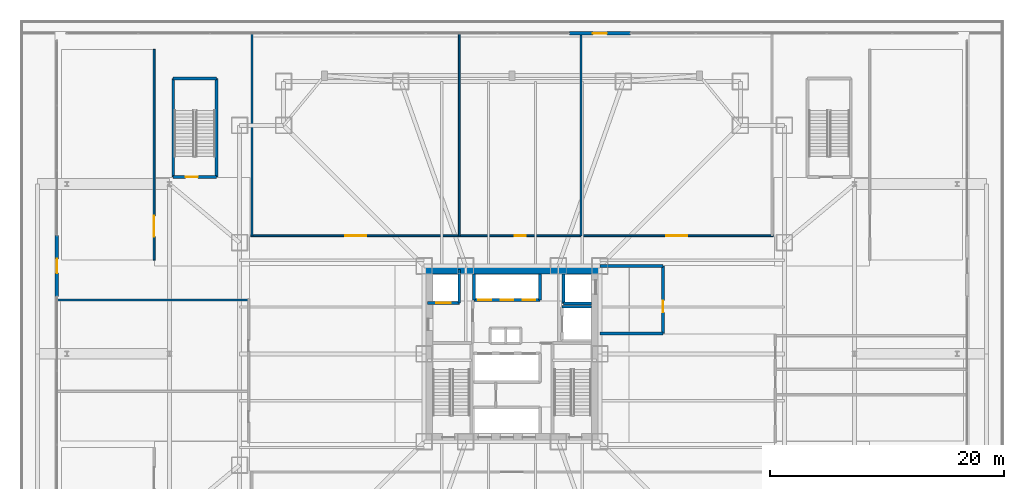
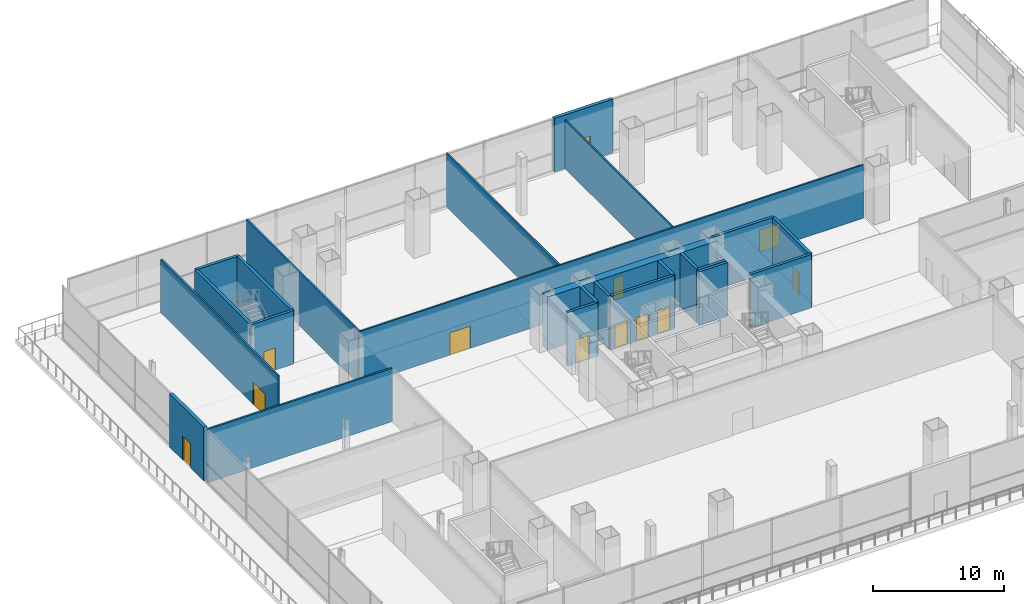
# One storey, part 22 of 36: 24 walls, 12 doors, 12 openings.
"""IFC4 building model written with IfcOpenShell, lengths in metres."""

from ifc_helpers import new_model, si_unit, direction, frame, frame_2d, origin, place, context, subcontext, project, spatial, rectangle, extrude, material, layer, layer_set, type_object, element, fill, save


model = new_model("IFC4")

# Units and contexts
model_context = context("Model", 3, precision=1e-05, world=origin(), true_north=direction((0.0, 1.0)))
body_context = subcontext(model_context, "Body", "Model", "MODEL_VIEW")
ifc_project = project(units=[si_unit("LENGTHUNIT", "METRE"), si_unit("AREAUNIT", "SQUARE_METRE"), si_unit("VOLUMEUNIT", "CUBIC_METRE"), si_unit("PLANEANGLEUNIT", "RADIAN"), si_unit("MASSUNIT", "GRAM", prefix="KILO")], contexts=[model_context])

# Site, building, storey
site_placement = place(None, origin())
site = spatial("IfcSite", under=ifc_project, at=site_placement, CompositionType="ELEMENT")
building_placement = place(site_placement, origin())
building = spatial("IfcBuilding", under=site, at=building_placement, Name="Trevonay Congress Spire", CompositionType="ELEMENT")
storey_placement = place(building_placement, frame((0.0, 0.0, 5.39990234375)))
storey = spatial("IfcBuildingStorey", under=building, at=storey_placement, Name="L01", CompositionType="ELEMENT", Elevation=5.39990234375)

# Wall
ifc_material_1 = material(Name="Concrete C60/75", Category="concrete")
ifc_layer_1 = layer(ifc_material_1, 0.699951171875, Name="Concrete C60/75")
ifc_layer_set_1 = layer_set([ifc_layer_1], Name="Concrete C60/75")
wall_type_1 = type_object("IfcWallType", Name="WAL-CORE-700", PredefinedType="SHEAR", material=ifc_layer_set_1)
wall_1_placement = place(storey_placement, frame((-7.5, 7.14990234375, 0.0), z_axis=(0.0, 0.0, 1.0), x_axis=(1.0, 0.0, 0.0)))
element("IfcWall", 1, at=wall_1_placement, inside=storey, type_object=wall_type_1, Name="L01 North structural core shear wall", PredefinedType="SHEAR", context=body_context, shape_type="SweptSolid", body=[
    extrude(rectangle(XDim=15.0, YDim=0.699951171875, at=frame_2d((7.5, 0.0))), origin(), (0.0, 0.0, 1.0), 5.0),
])

# Wall, openings, doors
ifc_material_2 = material(Name="Concrete C40/50", Category="concrete")
ifc_layer_2 = layer(ifc_material_2, 0.14990234375, Name="Concrete C40/50")
ifc_layer_set_2 = layer_set([ifc_layer_2], Name="Concrete C40/50")
wall_type_2 = type_object("IfcWallType", Name="WAL-CORR-150", PredefinedType="PARTITIONING", material=ifc_layer_set_2)
wall_2_placement = place(storey_placement, frame((-22.320068359375, 10.080078125, 0.0), z_axis=(0.0, 0.0, 1.0), x_axis=(1.0, 0.0, 0.0)))
wall_2 = element("IfcWall", 2, at=wall_2_placement, inside=storey, type_object=wall_type_2, Name="L01 interior wall WP-L01N-COR", PredefinedType="PARTITIONING", context=body_context, shape_type="SweptSolid", body=[
    extrude(rectangle(XDim=44.64013671875, YDim=0.14990234375, at=frame_2d((22.320068359375, 0.0))), origin(), (0.0, 0.0, 1.0), 5.0),
])
opening_1_placement = place(wall_2_placement, frame((8.070068359375, 0.0, 0.0)))
opening_1 = element("IfcOpeningElement", 3, at=opening_1_placement, cuts=wall_2, Name="Opening D09", PredefinedType="OPENING", context=body_context, shape_type="SweptSolid", body=[
    extrude(rectangle(XDim=1.800048828125, YDim=2.080078125, at=frame_2d((0.89990234375, 1.0400390625))), frame((0.0, 0.0849609375, 0.0), z_axis=(0.0, -1.0, 0.0), x_axis=(1.0, 0.0, 0.0)), (0.0, 0.0, 1.0), 0.169921875),
])
opening_2_placement = place(wall_2_placement, frame((22.544921875, 0.0, 0.0)))
opening_2 = element("IfcOpeningElement", 4, at=opening_2_placement, cuts=wall_2, Name="Opening D07", PredefinedType="OPENING", context=body_context, shape_type="SweptSolid", body=[
    extrude(rectangle(XDim=0.949951171875, YDim=2.06005859375, at=frame_2d((0.47509765625, 1.030029296875))), frame((0.0, 0.0849609375, 0.0), z_axis=(0.0, -1.0, 0.0), x_axis=(1.0, 0.0, 0.0)), (0.0, 0.0, 1.0), 0.169921875),
])
opening_3_placement = place(wall_2_placement, frame((35.469970703125, 0.0, 0.0)))
opening_3 = element("IfcOpeningElement", 5, at=opening_3_placement, cuts=wall_2, Name="Opening D09", PredefinedType="OPENING", context=body_context, shape_type="SweptSolid", body=[
    extrude(rectangle(XDim=1.800048828125, YDim=2.080078125, at=frame_2d((0.89990234375, 1.0400390625))), frame((0.0, 0.0849609375, 0.0), z_axis=(0.0, -1.0, 0.0), x_axis=(1.0, 0.0, 0.0)), (0.0, 0.0, 1.0), 0.169921875),
])
ifc_material_3 = material(Name="Pale Anodised Aluminium EN AW-6063-T6", Category="aluminium")
door_type_1 = type_object("IfcDoorType", Name="DOR-CONF-DBL", OperationType="DOUBLE_DOOR_SINGLE_SWING", PredefinedType="DOOR", material=ifc_material_3)
door_1_placement = place(opening_1_placement, origin())
door_1 = element("IfcDoor", 6, at=door_1_placement, inside=storey, type_object=door_type_1, Name="L01 Plenary Pre-Function Foyer Door", OperationType="DOUBLE_DOOR_SINGLE_SWING", OverallHeight=2.080078125, OverallWidth=1.800048828125, PredefinedType="DOOR", context=body_context, shape_type="SweptSolid", body=[
    extrude(rectangle(XDim=1.800048828125, YDim=2.080078125, at=frame_2d((0.89990234375, 1.0400390625))), frame((0.0, 0.02490234375, 0.0), z_axis=(0.0, -1.0, 0.0), x_axis=(1.0, 0.0, 0.0)), (0.0, 0.0, 1.0), 0.050048828125),
])
fill(opening_1, door_1)
door_2_placement = place(opening_3_placement, origin())
door_2 = element("IfcDoor", 7, at=door_2_placement, inside=storey, type_object=door_type_1, Name="L01 Delegate Espresso Lounge Door", OperationType="DOUBLE_DOOR_SINGLE_SWING", OverallHeight=2.080078125, OverallWidth=1.800048828125, PredefinedType="DOOR", context=body_context, shape_type="SweptSolid", body=[
    extrude(rectangle(XDim=1.800048828125, YDim=2.080078125, at=frame_2d((0.89990234375, 1.0400390625))), frame((0.0, 0.02490234375, 0.0), z_axis=(0.0, -1.0, 0.0), x_axis=(1.0, 0.0, 0.0)), (0.0, 0.0, 1.0), 0.050048828125),
])
fill(opening_3, door_2)
door_type_2 = type_object("IfcDoorType", Name="DOR-OFFICE-95", OperationType="NOTDEFINED", PredefinedType="DOOR", material=ifc_material_3)
door_3_placement = place(opening_2_placement, origin())
door_3 = element("IfcDoor", 8, at=door_3_placement, inside=storey, type_object=door_type_2, Name="L01 Simultaneous Interpretation Suite Door", OperationType="SINGLE_SWING_LEFT", OverallHeight=2.06005859375, OverallWidth=0.949951171875, PredefinedType="DOOR", context=body_context, shape_type="SweptSolid", body=[
    extrude(rectangle(XDim=0.949951171875, YDim=2.06005859375, at=frame_2d((0.47509765625, 1.030029296875))), frame((0.0, 0.02490234375, 0.0), z_axis=(0.0, -1.0, 0.0), x_axis=(1.0, 0.0, 0.0)), (0.0, 0.0, 1.0), 0.050048828125),
])
fill(opening_2, door_3)

# Wall, opening, door
wall_3_placement = place(storey_placement, frame((-30.550048828125, 8.0, 0.0), z_axis=(0.0, 0.0, 1.0), x_axis=(0.0, 1.0, 0.0)))
wall_3 = element("IfcWall", 9, at=wall_3_placement, inside=storey, type_object=wall_type_2, Name="L01 interior wall WL01-XNW", PredefinedType="PARTITIONING", context=body_context, shape_type="SweptSolid", body=[
    extrude(rectangle(XDim=18.0, YDim=0.14990234375, at=frame_2d((9.0, 0.0))), origin(), (0.0, 0.0, 1.0), 5.0),
])
opening_4_placement = place(wall_3_placement, frame((2.0, 0.0, 0.0)))
opening_4 = element("IfcOpeningElement", 10, at=opening_4_placement, cuts=wall_3, Name="Opening D09", PredefinedType="OPENING", context=body_context, shape_type="SweptSolid", body=[
    extrude(rectangle(XDim=1.800048828125, YDim=2.080078125, at=frame_2d((0.89990234375, 1.0400390625))), frame((0.0, 0.0849609375, 0.0), z_axis=(0.0, -1.0, 0.0), x_axis=(1.0, 0.0, 0.0)), (0.0, 0.0, 1.0), 0.169921875),
])
door_4_placement = place(opening_4_placement, origin())
door_4 = element("IfcDoor", 11, at=door_4_placement, inside=storey, type_object=door_type_1, Name="L01 L01 North-West Breakout Salon Door", OperationType="DOUBLE_DOOR_SINGLE_SWING", OverallHeight=2.080078125, OverallWidth=1.800048828125, PredefinedType="DOOR", context=body_context, shape_type="SweptSolid", body=[
    extrude(rectangle(XDim=1.800048828125, YDim=2.080078125, at=frame_2d((0.89990234375, 1.0400390625))), frame((0.0, 0.02490234375, 0.0), z_axis=(0.0, -1.0, 0.0), x_axis=(1.0, 0.0, 0.0)), (0.0, 0.0, 1.0), 0.050048828125),
])
fill(opening_4, door_4)

ifc_material_4 = material(Name="Precast concrete C40/50", Category="concrete")
ifc_layer_3 = layer(ifc_material_4, 0.300048828125, Name="Precast concrete C40/50")
ifc_layer_set_3 = layer_set([ifc_layer_3], Name="Precast concrete C40/50")
wall_type_3 = type_object("IfcWallType", Name="WAL-EXT-PRECAST-300", PredefinedType="SOLIDWALL", material=ifc_layer_set_3)
wall_4_placement = place(storey_placement, frame((-38.85009765625, 4.89990234375, 0.0), z_axis=(0.0, 0.0, 1.0), x_axis=(0.0, 1.0, 0.0)))
wall_4 = element("IfcWall", 12, at=wall_4_placement, inside=storey, type_object=wall_type_3, Name="L01 W terrace doorway backup wall", PredefinedType="SOLIDWALL", context=body_context, shape_type="SweptSolid", body=[
    extrude(rectangle(XDim=5.2001953125, YDim=0.300048828125, at=frame_2d((2.60009765625, 0.0))), origin(), (0.0, 0.0, 1.0), 5.0),
])
opening_5_placement = place(wall_4_placement, frame((2.0, 0.0, 0.0)))
opening_5 = element("IfcOpeningElement", 13, at=opening_5_placement, cuts=wall_4, Name="Opening D12", PredefinedType="OPENING", context=body_context, shape_type="SweptSolid", body=[
    extrude(rectangle(XDim=1.199951171875, YDim=2.25, at=frame_2d((0.60009765625, 1.125))), frame((0.0, 0.16015625, 0.0), z_axis=(0.0, -1.0, 0.0), x_axis=(1.0, 0.0, 0.0)), (0.0, 0.0, 1.0), 0.320068359375),
])
door_type_3 = type_object("IfcDoorType", Name="DOR-EXT-TERR-120", OperationType="NOTDEFINED", PredefinedType="DOOR", material=ifc_material_3)
door_5_placement = place(opening_5_placement, origin())
door_5 = element("IfcDoor", 14, at=door_5_placement, inside=storey, type_object=door_type_3, Name="L01 W stepped terrace access door", OperationType="SINGLE_SWING_LEFT", OverallHeight=2.25, OverallWidth=1.199951171875, PredefinedType="DOOR", context=body_context, shape_type="SweptSolid", body=[
    extrude(rectangle(XDim=1.199951171875, YDim=2.25, at=frame_2d((0.60009765625, 1.125))), frame((0.0, 0.02490234375, 0.0), z_axis=(0.0, -1.0, 0.0), x_axis=(1.0, 0.0, 0.0)), (0.0, 0.0, 1.0), 0.050048828125),
])
fill(opening_5, door_5)

wall_5_placement = place(storey_placement, frame((4.89990234375, 27.35009765625, 0.0), z_axis=(0.0, 0.0, 1.0), x_axis=(1.0, 0.0, 0.0)))
wall_5 = element("IfcWall", 15, at=wall_5_placement, inside=storey, type_object=wall_type_3, Name="L01 N terrace doorway backup wall", PredefinedType="SOLIDWALL", context=body_context, shape_type="SweptSolid", body=[
    extrude(rectangle(XDim=5.2001953125, YDim=0.300048828125, at=frame_2d((2.60009765625, 0.0))), origin(), (0.0, 0.0, 1.0), 5.0),
])
opening_6_placement = place(wall_5_placement, frame((2.0, 0.0, 0.0)))
opening_6 = element("IfcOpeningElement", 16, at=opening_6_placement, cuts=wall_5, Name="Opening D12", PredefinedType="OPENING", context=body_context, shape_type="SweptSolid", body=[
    extrude(rectangle(XDim=1.199951171875, YDim=2.25, at=frame_2d((0.60009765625, 1.125))), frame((0.0, 0.16015625, 0.0), z_axis=(0.0, -1.0, 0.0), x_axis=(1.0, 0.0, 0.0)), (0.0, 0.0, 1.0), 0.320068359375),
])
door_6_placement = place(opening_6_placement, origin())
door_6 = element("IfcDoor", 17, at=door_6_placement, inside=storey, type_object=door_type_3, Name="L01 N stepped terrace access door", OperationType="SINGLE_SWING_LEFT", OverallHeight=2.25, OverallWidth=1.199951171875, PredefinedType="DOOR", context=body_context, shape_type="SweptSolid", body=[
    extrude(rectangle(XDim=1.199951171875, YDim=2.25, at=frame_2d((0.60009765625, 1.125))), frame((0.0, 0.02490234375, 0.0), z_axis=(0.0, -1.0, 0.0), x_axis=(1.0, 0.0, 0.0)), (0.0, 0.0, 1.0), 0.050048828125),
])
fill(opening_6, door_6)

# Walls
ifc_layer_4 = layer(ifc_material_2, 0.14990234375, Name="Concrete C40/50")
ifc_layer_set_4 = layer_set([ifc_layer_4], Name="Concrete C40/50")
wall_type_4 = type_object("IfcWallType", Name="WAL-PART-150", PredefinedType="PARTITIONING", material=ifc_layer_set_4)
for number, where, z_axis, x_axis, name in (
    (18, (-22.199951171875, 10.080078125, 0.0), (0.0, 0.0, 1.0), (0.0, 1.0, 0.0), "L01 interior wall WP-L01N-DIV1"),
    (19, (-4.5, 10.080078125, 0.0), (0.0, 0.0, 1.0), (0.0, 1.0, 0.0), "L01 interior wall WP-L01N-DIV2"),
):
    element("IfcWall", number, at=place(storey_placement, frame(where, z_axis=z_axis, x_axis=x_axis)), inside=storey, type_object=wall_type_4, Name=name, PredefinedType="PARTITIONING", context=body_context, shape_type="SweptSolid", body=[
        extrude(rectangle(XDim=17.27001953125, YDim=0.14990234375, at=frame_2d((8.635009765625, 0.0))), origin(), (0.0, 0.0, 1.0), 5.0),
    ])
wall_6_placement = place(storey_placement, frame((5.89990234375, 10.080078125, 0.0), z_axis=(0.0, 0.0, 1.0), x_axis=(0.0, 1.0, 0.0)))
element("IfcWall", 20, at=wall_6_placement, inside=storey, type_object=wall_type_4, Name="L01 interior wall WP-L01N-DIV3", PredefinedType="PARTITIONING", context=body_context, shape_type="SweptSolid", body=[
    extrude(rectangle(XDim=17.27001953125, YDim=0.14990234375, at=frame_2d((8.635009765625, 0.0))), origin(), (0.0, 0.0, 1.0), 4.51806640625),
])

# Wall, openings, doors
ifc_layer_5 = layer(ifc_material_2, 0.25, Name="Concrete C40/50")
ifc_layer_set_5 = layer_set([ifc_layer_5], Name="Concrete C40/50")
wall_type_5 = type_object("IfcWallType", Name="WAL-SHAFT-250", PredefinedType="SHEAR", material=ifc_layer_set_5)
wall_7_placement = place(storey_placement, frame((-3.260009765625, 4.580078125, 0.0), z_axis=(0.0, 0.0, 1.0), x_axis=(1.0, 0.0, 0.0)))
wall_7 = element("IfcWall", 21, at=wall_7_placement, inside=storey, type_object=wall_type_5, Name="L01 interior shaft wall WSH-L01-B3-S", PredefinedType="SHEAR", context=body_context, shape_type="SweptSolid", body=[
    extrude(rectangle(XDim=5.639892578125, YDim=0.25, at=frame_2d((2.81982421875, 0.0))), origin(), (0.0, 0.0, 1.0), 5.0),
])
opening_7_placement = place(wall_7_placement, frame((0.39990234375, 0.0, 0.0)))
opening_7 = element("IfcOpeningElement", 22, at=opening_7_placement, cuts=wall_7, Name="Opening LD03", PredefinedType="OPENING", context=body_context, shape_type="SweptSolid", body=[
    extrude(rectangle(XDim=1.10009765625, YDim=2.199951171875, at=frame_2d((0.550048828125, 1.10009765625))), frame((0.0, 0.135009765625, 0.0), z_axis=(0.0, -1.0, 0.0), x_axis=(1.0, 0.0, 0.0)), (0.0, 0.0, 1.0), 0.27001953125),
])
opening_8_placement = place(wall_7_placement, frame((2.280029296875, 0.0, 0.0)))
opening_8 = element("IfcOpeningElement", 23, at=opening_8_placement, cuts=wall_7, Name="Opening LD03", PredefinedType="OPENING", context=body_context, shape_type="SweptSolid", body=[
    extrude(rectangle(XDim=1.10009765625, YDim=2.199951171875, at=frame_2d((0.550048828125, 1.10009765625))), frame((0.0, 0.135009765625, 0.0), z_axis=(0.0, -1.0, 0.0), x_axis=(1.0, 0.0, 0.0)), (0.0, 0.0, 1.0), 0.27001953125),
])
opening_9_placement = place(wall_7_placement, frame((4.159912109375, 0.0, 0.0)))
opening_9 = element("IfcOpeningElement", 24, at=opening_9_placement, cuts=wall_7, Name="Opening LD03", PredefinedType="OPENING", context=body_context, shape_type="SweptSolid", body=[
    extrude(rectangle(XDim=1.10009765625, YDim=2.199951171875, at=frame_2d((0.550048828125, 1.10009765625))), frame((0.0, 0.135009765625, 0.0), z_axis=(0.0, -1.0, 0.0), x_axis=(1.0, 0.0, 0.0)), (0.0, 0.0, 1.0), 0.27001953125),
])
door_type_4 = type_object("IfcDoorType", Name="DOR-LIFT-LD03", OperationType="DOUBLE_DOOR_SLIDING", PredefinedType="DOOR", material=ifc_material_3)
door_7_placement = place(opening_7_placement, origin())
door_7 = element("IfcDoor", 25, at=door_7_placement, inside=storey, type_object=door_type_4, Name="L01 Passenger lift PL-07 landing door", OperationType="DOUBLE_DOOR_SLIDING", OverallHeight=2.199951171875, OverallWidth=1.10009765625, PredefinedType="DOOR", context=body_context, shape_type="SweptSolid", body=[
    extrude(rectangle(XDim=1.10009765625, YDim=2.199951171875, at=frame_2d((0.550048828125, 1.10009765625))), frame((0.0, 0.02490234375, 0.0), z_axis=(0.0, -1.0, 0.0), x_axis=(1.0, 0.0, 0.0)), (0.0, 0.0, 1.0), 0.050048828125),
])
fill(opening_7, door_7)
door_8_placement = place(opening_8_placement, origin())
door_8 = element("IfcDoor", 26, at=door_8_placement, inside=storey, type_object=door_type_4, Name="L01 Passenger lift PL-08 landing door", OperationType="DOUBLE_DOOR_SLIDING", OverallHeight=2.199951171875, OverallWidth=1.10009765625, PredefinedType="DOOR", context=body_context, shape_type="SweptSolid", body=[
    extrude(rectangle(XDim=1.10009765625, YDim=2.199951171875, at=frame_2d((0.550048828125, 1.10009765625))), frame((0.0, 0.02490234375, 0.0), z_axis=(0.0, -1.0, 0.0), x_axis=(1.0, 0.0, 0.0)), (0.0, 0.0, 1.0), 0.050048828125),
])
fill(opening_8, door_8)
door_9_placement = place(opening_9_placement, origin())
door_9 = element("IfcDoor", 27, at=door_9_placement, inside=storey, type_object=door_type_4, Name="L01 Passenger lift PL-09 landing door", OperationType="DOUBLE_DOOR_SLIDING", OverallHeight=2.199951171875, OverallWidth=1.10009765625, PredefinedType="DOOR", context=body_context, shape_type="SweptSolid", body=[
    extrude(rectangle(XDim=1.10009765625, YDim=2.199951171875, at=frame_2d((0.550048828125, 1.10009765625))), frame((0.0, 0.02490234375, 0.0), z_axis=(0.0, -1.0, 0.0), x_axis=(1.0, 0.0, 0.0)), (0.0, 0.0, 1.0), 0.050048828125),
])
fill(opening_9, door_9)

# Walls
for number, where, z_axis, x_axis, name in (
    (28, (-3.260009765625, 4.580078125, 0.0), (0.0, 0.0, 1.0), (0.0, 1.0, 0.0), "L01 interior shaft wall WSH-L01-B3-W"),
    (29, (2.3798828125, 4.580078125, 0.0), (0.0, 0.0, 1.0), (0.0, 1.0, 0.0), "L01 interior shaft wall WSH-L01-B3-E"),
):
    element("IfcWall", number, at=place(storey_placement, frame(where, z_axis=z_axis, x_axis=x_axis)), inside=storey, type_object=wall_type_5, Name=name, PredefinedType="SHEAR", context=body_context, shape_type="SweptSolid", body=[
        extrude(rectangle(XDim=2.219970703125, YDim=0.25, at=frame_2d((1.10986328125, 0.0))), origin(), (0.0, 0.0, 1.0), 5.0),
    ])

# Wall, opening, door
wall_8_placement = place(storey_placement, frame((-7.199951171875, 4.35009765625, 0.0), z_axis=(0.0, 0.0, 1.0), x_axis=(1.0, 0.0, 0.0)))
wall_8 = element("IfcWall", 30, at=wall_8_placement, inside=storey, type_object=wall_type_5, Name="L01 interior shaft wall WSH-L01-FF1-S", PredefinedType="SHEAR", context=body_context, shape_type="SweptSolid", body=[
    extrude(rectangle(XDim=2.699951171875, YDim=0.25, at=frame_2d((1.35009765625, 0.0))), origin(), (0.0, 0.0, 1.0), 5.0),
])
opening_10_placement = place(wall_8_placement, frame((0.75, 0.0, 0.0)))
opening_10 = element("IfcOpeningElement", 31, at=opening_10_placement, cuts=wall_8, Name="Opening LD04", PredefinedType="OPENING", context=body_context, shape_type="SweptSolid", body=[
    extrude(rectangle(XDim=1.199951171875, YDim=2.199951171875, at=frame_2d((0.60009765625, 1.10009765625))), frame((0.0, 0.135009765625, 0.0), z_axis=(0.0, -1.0, 0.0), x_axis=(1.0, 0.0, 0.0)), (0.0, 0.0, 1.0), 0.27001953125),
])
ifc_material_5 = material(Name="Steel ASTM A572 Grade 50", Category="steel")
door_type_5 = type_object("IfcDoorType", Name="DOR-LIFT-LD04", OperationType="DOUBLE_DOOR_SLIDING", PredefinedType="DOOR", material=ifc_material_5)
door_10_placement = place(opening_10_placement, origin())
door_10 = element("IfcDoor", 32, at=door_10_placement, inside=storey, type_object=door_type_5, Name="L01 Firefighting lift FFL-01 landing door", OperationType="DOUBLE_DOOR_SLIDING", OverallHeight=2.199951171875, OverallWidth=1.199951171875, PredefinedType="DOOR", context=body_context, shape_type="SweptSolid", body=[
    extrude(rectangle(XDim=1.199951171875, YDim=2.199951171875, at=frame_2d((0.60009765625, 1.10009765625))), frame((0.0, 0.02490234375, 0.0), z_axis=(0.0, -1.0, 0.0), x_axis=(1.0, 0.0, 0.0)), (0.0, 0.0, 1.0), 0.050048828125),
])
fill(opening_10, door_10)

# Walls
wall_9_placement = place(storey_placement, frame((-4.5, 4.35009765625, 0.0), z_axis=(0.0, 0.0, 1.0), x_axis=(0.0, 1.0, 0.0)))
element("IfcWall", 33, at=wall_9_placement, inside=storey, type_object=wall_type_5, Name="L01 interior shaft wall WSH-L01-FF1-E", PredefinedType="SHEAR", context=body_context, shape_type="SweptSolid", body=[
    extrude(rectangle(XDim=2.849853515625, YDim=0.25, at=frame_2d((1.4248046875, 0.0))), origin(), (0.0, 0.0, 1.0), 5.0),
])
wall_10_placement = place(storey_placement, frame((4.3798828125, 4.300048828125, 0.0), z_axis=(0.0, 0.0, 1.0), x_axis=(1.0, 0.0, 0.0)))
element("IfcWall", 34, at=wall_10_placement, inside=storey, type_object=wall_type_5, Name="L01 interior shaft wall WSH-L01-FF2-S", PredefinedType="SHEAR", context=body_context, shape_type="SweptSolid", body=[
    extrude(rectangle(XDim=2.420166015625, YDim=0.25, at=frame_2d((1.2099609375, 0.0))), origin(), (0.0, 0.0, 1.0), 5.0),
])
wall_11_placement = place(storey_placement, frame((4.3798828125, 4.300048828125, 0.0), z_axis=(0.0, 0.0, 1.0), x_axis=(0.0, 1.0, 0.0)))
element("IfcWall", 35, at=wall_11_placement, inside=storey, type_object=wall_type_5, Name="L01 interior shaft wall WSH-L01-FF2-W", PredefinedType="SHEAR", context=body_context, shape_type="SweptSolid", body=[
    extrude(rectangle(XDim=2.5, YDim=0.25, at=frame_2d((1.25, 0.0))), origin(), (0.0, 0.0, 1.0), 5.0),
])
wall_12_placement = place(storey_placement, frame((4.280029296875, 4.02001953125, 0.0), z_axis=(0.0, 0.0, 1.0), x_axis=(1.0, 0.0, 0.0)))
element("IfcWall", 36, at=wall_12_placement, inside=storey, type_object=wall_type_5, Name="L01 interior shaft wall WSH-L01-SV-N", PredefinedType="SHEAR", context=body_context, shape_type="SweptSolid", body=[
    extrude(rectangle(XDim=2.52001953125, YDim=0.25, at=frame_2d((1.260009765625, 0.0))), origin(), (0.0, 0.0, 1.0), 5.0),
])

# Wall, opening, door
wall_13_placement = place(storey_placement, frame((12.89990234375, 1.75, 0.0), z_axis=(0.0, 0.0, 1.0), x_axis=(0.0, 1.0, 0.0)))
wall_13 = element("IfcWall", 37, at=wall_13_placement, inside=storey, type_object=wall_type_5, Name="L01 interior wall WP-L01-FFLE-E", PredefinedType="SHEAR", context=body_context, shape_type="SweptSolid", body=[
    extrude(rectangle(XDim=5.75, YDim=0.25, at=frame_2d((2.875, 0.0))), origin(), (0.0, 0.0, 1.0), 5.0),
])
opening_11_placement = place(wall_13_placement, frame((1.800048828125, 0.0, 0.0)))
opening_11 = element("IfcOpeningElement", 38, at=opening_11_placement, cuts=wall_13, Name="Opening D06", PredefinedType="OPENING", context=body_context, shape_type="SweptSolid", body=[
    extrude(rectangle(XDim=1.0, YDim=2.080078125, at=frame_2d((0.5, 1.0400390625))), frame((0.0, 0.135009765625, 0.0), z_axis=(0.0, -1.0, 0.0), x_axis=(1.0, 0.0, 0.0)), (0.0, 0.0, 1.0), 0.27001953125),
])
door_type_6 = type_object("IfcDoorType", Name="DOR-FIRE-100", OperationType="NOTDEFINED", PredefinedType="DOOR", material=ifc_material_5)
door_11_placement = place(opening_11_placement, origin())
door_11 = element("IfcDoor", 39, at=door_11_placement, inside=storey, type_object=door_type_6, Name="L01 L01 Firefighting Lobby East Door", OperationType="SINGLE_SWING_RIGHT", OverallHeight=2.080078125, OverallWidth=1.0, PredefinedType="DOOR", context=body_context, shape_type="SweptSolid", body=[
    extrude(rectangle(XDim=1.0, YDim=2.080078125, at=frame_2d((0.5, 1.0400390625))), frame((0.0, 0.02490234375, 0.0), z_axis=(0.0, -1.0, 0.0), x_axis=(1.0, 0.0, 0.0)), (0.0, 0.0, 1.0), 0.050048828125),
])
fill(opening_11, door_11)

# Walls
for number, where, z_axis, x_axis, name in (
    (40, (7.5, 1.75, 0.0), (0.0, 0.0, 1.0), (1.0, 0.0, 0.0), "L01 interior wall WP-L01-FFLE-S"),
    (41, (7.5, 7.5, 0.0), (0.0, 0.0, 1.0), (1.0, 0.0, 0.0), "L01 interior wall WP-L01-FFLE-N"),
):
    element("IfcWall", number, at=place(storey_placement, frame(where, z_axis=z_axis, x_axis=x_axis)), inside=storey, type_object=wall_type_5, Name=name, PredefinedType="SHEAR", context=body_context, shape_type="SweptSolid", body=[
        extrude(rectangle(XDim=5.39990234375, YDim=0.25, at=frame_2d((2.699951171875, 0.0))), origin(), (0.0, 0.0, 1.0), 5.0),
    ])

# Wall, opening, door
ifc_layer_6 = layer(ifc_material_2, 0.25, Name="Concrete C40/50")
ifc_layer_set_6 = layer_set([ifc_layer_6], Name="Concrete C40/50")
wall_type_6 = type_object("IfcWallType", Name="WAL-SHAFT-LB-250", PredefinedType="SHEAR", material=ifc_layer_set_6)
wall_14_placement = place(storey_placement, frame((-28.919921875, 15.080078125, 0.0), z_axis=(0.0, 0.0, 1.0), x_axis=(1.0, 0.0, 0.0)))
wall_14 = element("IfcWall", 42, at=wall_14_placement, inside=storey, type_object=wall_type_6, Name="L01 interior shaft wall WSH-L01-ST-5-S", PredefinedType="SHEAR", context=body_context, shape_type="SweptSolid", body=[
    extrude(rectangle(XDim=3.68994140625, YDim=0.25, at=frame_2d((1.844970703125, 0.0))), origin(), (0.0, 0.0, 1.0), 5.0),
])
opening_12_placement = place(wall_14_placement, frame((1.050048828125, 0.0, 0.0)))
opening_12 = element("IfcOpeningElement", 43, at=opening_12_placement, cuts=wall_14, Name="Opening D05", PredefinedType="OPENING", context=body_context, shape_type="SweptSolid", body=[
    extrude(rectangle(XDim=1.050048828125, YDim=2.080078125, at=frame_2d((0.52490234375, 1.0400390625))), frame((0.0, 0.135009765625, 0.0), z_axis=(0.0, -1.0, 0.0), x_axis=(1.0, 0.0, 0.0)), (0.0, 0.0, 1.0), 0.27001953125),
])
door_type_7 = type_object("IfcDoorType", Name="DOR-STAIR-110", OperationType="NOTDEFINED", PredefinedType="DOOR", material=ifc_material_5)
door_12_placement = place(opening_12_placement, origin())
door_12 = element("IfcDoor", 44, at=door_12_placement, inside=storey, type_object=door_type_7, Name="L01 Escape Stair ST-5 Door", OperationType="SINGLE_SWING_LEFT", OverallHeight=2.080078125, OverallWidth=1.050048828125, PredefinedType="DOOR", context=body_context, shape_type="SweptSolid", body=[
    extrude(rectangle(XDim=1.050048828125, YDim=2.080078125, at=frame_2d((0.52490234375, 1.0400390625))), frame((0.0, 0.02490234375, 0.0), z_axis=(0.0, -1.0, 0.0), x_axis=(1.0, 0.0, 0.0)), (0.0, 0.0, 1.0), 0.050048828125),
])
fill(opening_12, door_12)

# Walls
wall_15_placement = place(storey_placement, frame((-28.919921875, 23.52001953125, 0.0), z_axis=(0.0, 0.0, 1.0), x_axis=(1.0, 0.0, 0.0)))
element("IfcWall", 45, at=wall_15_placement, inside=storey, type_object=wall_type_6, Name="L01 interior shaft wall WSH-L01-ST-5-N", PredefinedType="SHEAR", context=body_context, shape_type="SweptSolid", body=[
    extrude(rectangle(XDim=3.68994140625, YDim=0.25, at=frame_2d((1.844970703125, 0.0))), origin(), (0.0, 0.0, 1.0), 5.0),
])
for number, where, z_axis, x_axis, name in (
    (46, (-28.919921875, 15.080078125, 0.0), (0.0, 0.0, 1.0), (0.0, 1.0, 0.0), "L01 interior shaft wall WSH-L01-ST-5-W"),
    (47, (-25.22998046875, 15.080078125, 0.0), (0.0, 0.0, 1.0), (0.0, 1.0, 0.0), "L01 interior shaft wall WSH-L01-ST-5-E"),
):
    element("IfcWall", number, at=place(storey_placement, frame(where, z_axis=z_axis, x_axis=x_axis)), inside=storey, type_object=wall_type_6, Name=name, PredefinedType="SHEAR", context=body_context, shape_type="SweptSolid", body=[
        extrude(rectangle(XDim=8.43994140625, YDim=0.25, at=frame_2d((4.219970703125, 0.0))), origin(), (0.0, 0.0, 1.0), 5.0),
    ])
ifc_layer_7 = layer(ifc_material_2, 0.1650390625, Name="Concrete C40/50")
ifc_layer_set_7 = layer_set([ifc_layer_7], Name="Concrete C40/50")
wall_type_7 = type_object("IfcWallType", Name="WAL-WET-165", PredefinedType="PLUMBINGWALL", material=ifc_layer_set_7)
wall_16_placement = place(storey_placement, frame((-38.85009765625, 4.60009765625, 0.0), z_axis=(0.0, 0.0, 1.0), x_axis=(1.0, 0.0, 0.0)))
element("IfcWall", 48, at=wall_16_placement, inside=storey, type_object=wall_type_7, Name="L01 interior wall WP-L01W-DIV2", PredefinedType="PLUMBINGWALL", context=body_context, shape_type="SweptSolid", body=[
    extrude(rectangle(XDim=16.3701171875, YDim=0.1650390625, at=frame_2d((8.18505859375, 0.0))), origin(), (0.0, 0.0, 1.0), 5.0),
])

save(model, "model.ifc")
